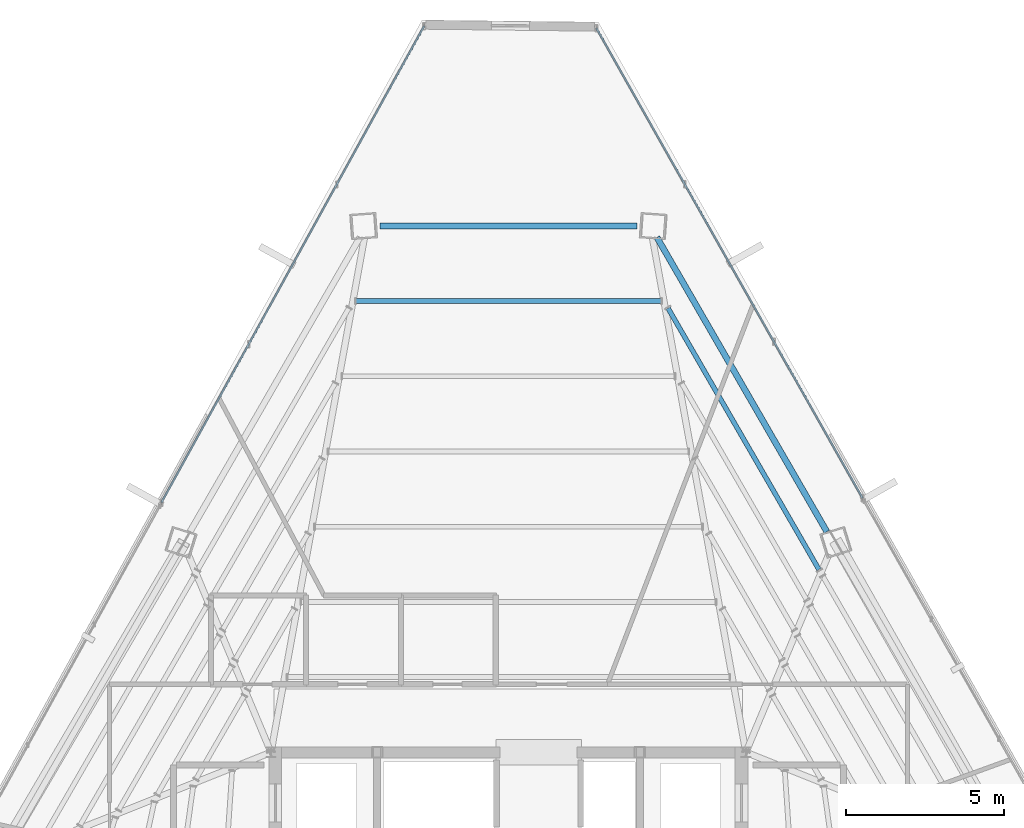
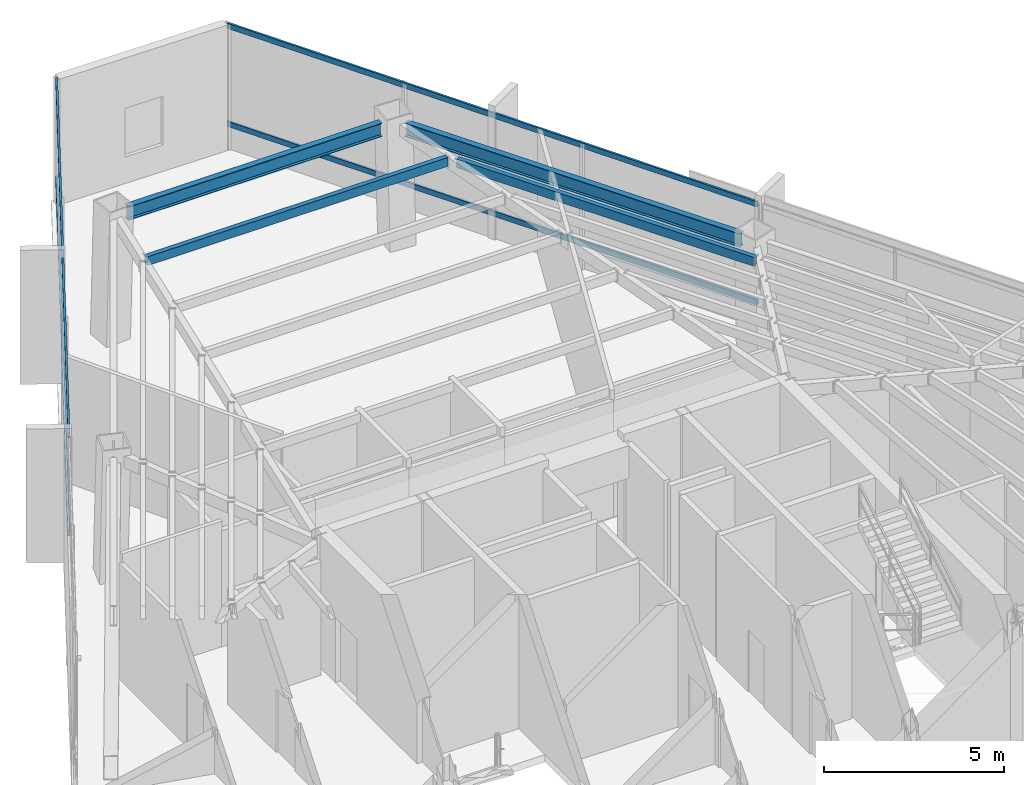
# One storey, part 26 of 37: 4 beams, 4 members, 2 elements without a shape of their own.
"""IFC4 building model written with IfcOpenShell, lengths in metres."""

from ifc_helpers import new_model, si_unit, direction, frame, origin, origin_2d, place, context, subcontext, project, spatial, hollow_rectangle, i_section, extrude, source, transform, mapped, material, material_profile, profile_set, type_object, type_shapes, element, aggregate, save


model = new_model("IFC4")

# Units and contexts
model_context = context("Model", 3, precision=1e-05, world=origin(), true_north=direction((0.0, 1.0)))
body_context = subcontext(model_context, "Body", "Model", "MODEL_VIEW")
ifc_project = project(units=[si_unit("LENGTHUNIT", "METRE"), si_unit("AREAUNIT", "SQUARE_METRE"), si_unit("VOLUMEUNIT", "CUBIC_METRE"), si_unit("PLANEANGLEUNIT", "RADIAN"), si_unit("MASSUNIT", "GRAM", prefix="KILO")], contexts=[model_context])

# Site, building, storey
site_placement = place(None, origin())
site = spatial("IfcSite", under=ifc_project, at=site_placement, CompositionType="ELEMENT")
building_placement = place(site_placement, origin())
building = spatial("IfcBuilding", under=site, at=building_placement, Name="Caelisora Broadcast Tower", CompositionType="ELEMENT")
storey_placement = place(building_placement, frame((0.0, 0.0, 225.35009765625)))
storey = spatial("IfcBuildingStorey", under=building, at=storey_placement, Name="L59", CompositionType="ELEMENT", Elevation=225.35009765625)

# Beams
ifc_material_1 = material(Name="Steel Grade 350 (AS/NZS 3679.1)", Category="steel")
ifc_material_profile_1 = material_profile(ifc_material_1, i_section(OverallWidth=0.19091796875, OverallDepth=0.46044921875, WebThickness=0.010009765625, FlangeThickness=0.01611328125, at=origin_2d()), Name="Steel Grade 350 (AS/NZS 3679.1)")
ifc_profile_set_1 = profile_set([ifc_material_profile_1], Name="Steel Grade 350 (AS/NZS 3679.1)")
beam_type_1 = type_object("IfcBeamType", Name="PG06", PredefinedType="BEAM", material=ifc_profile_set_1)
shared_shape_1 = source(origin(), body_context, "Body", "SweptSolid", [
    extrude(i_section(OverallWidth=0.19091796875, OverallDepth=0.46044921875, WebThickness=0.010009765625, FlangeThickness=0.01611328125, at=origin_2d()), origin(), (0.0, 0.0, 1.0), 8.12841796875),
])
beam_1_placement = place(storey_placement, frame((42.064208984375, 46.6279296875, 4.019775390625), z_axis=(-1.0, 0.0, 0.0), x_axis=(0.0, -1.0, 0.0)))
element("IfcBeam", 1, at=beam_1_placement, inside=storey, type_object=beam_type_1, Name="L59 beam PG06", PredefinedType="BEAM", context=body_context, shape_type="MappedRepresentation", body=[
    mapped(shared_shape_1, transform((0.0, 0.0, 0.0), scale=1.0)),
])
shared_shape_2 = source(origin(), body_context, "Body", "SweptSolid", [
    extrude(i_section(OverallWidth=0.19091796875, OverallDepth=0.46044921875, WebThickness=0.010009765625, FlangeThickness=0.01611328125, at=origin_2d()), origin(), (0.0, 0.0, 1.0), 10.73876953125),
])
type_shapes(beam_type_1, [shared_shape_1, shared_shape_2])
beam_2_placement = place(storey_placement, frame((48.0576171875, 36.967529296875, 4.019775390625), z_axis=(-0.499999935134, 0.866025441235, 0.0), x_axis=(-0.866025441235, -0.499999935134, 0.0)))
element("IfcBeam", 2, at=beam_2_placement, inside=storey, type_object=beam_type_1, Name="L59 beam PG06", PredefinedType="BEAM", context=body_context, shape_type="MappedRepresentation", body=[
    mapped(shared_shape_2, transform((0.0, 0.0, 0.0), scale=1.0)),
])
ifc_material_2 = material(Name="Steel Grade 350 (AS/NZS 1163 C350L0)", Category="steel")
ifc_material_profile_2 = material_profile(ifc_material_2, hollow_rectangle(XDim=0.14990234375, YDim=0.300048828125, WallThickness=0.010009765625, at=origin_2d()), Name="Steel Grade 350 (AS/NZS 1163 C350L0)")
ifc_profile_set_2 = profile_set([ifc_material_profile_2], Name="Steel Grade 350 (AS/NZS 1163 C350L0)")
beam_type_2 = type_object("IfcBeamType", Name="SB05", PredefinedType="JOIST", material=ifc_profile_set_2)
shared_shape_3 = source(origin(), body_context, "Body", "SweptSolid", [
    extrude(hollow_rectangle(XDim=0.14990234375, YDim=0.300048828125, WallThickness=0.010009765625, at=origin_2d()), origin(), (0.0, 0.0, 1.0), 9.6259765625),
])
beam_3_placement = place(storey_placement, frame((42.81298828125, 44.25244140625, 4.099853515625), z_axis=(-1.0, 0.0, 0.0), x_axis=(0.0, -1.0, 0.0)))
element("IfcBeam", 3, at=beam_3_placement, inside=storey, type_object=beam_type_2, Name="L59 beam SB05", PredefinedType="JOIST", context=body_context, shape_type="MappedRepresentation", body=[
    mapped(shared_shape_3, transform((0.0, 0.0, 0.0), scale=1.0)),
])
shared_shape_4 = source(origin(), body_context, "Body", "SweptSolid", [
    extrude(hollow_rectangle(XDim=0.14990234375, YDim=0.300048828125, WallThickness=0.010009765625, at=origin_2d()), origin(), (0.0, 0.0, 1.0), 9.53466796875),
])
type_shapes(beam_type_2, [shared_shape_3, shared_shape_4])
beam_4_placement = place(storey_placement, frame((47.80908203125, 35.769775390625, 4.099853515625), z_axis=(-0.499997295977, 0.866026964947, 0.0), x_axis=(-0.866026964947, -0.499997295977, 0.0)))
element("IfcBeam", 4, at=beam_4_placement, inside=storey, type_object=beam_type_2, Name="L59 beam SB05", PredefinedType="JOIST", context=body_context, shape_type="MappedRepresentation", body=[
    mapped(shared_shape_4, transform((0.0, 0.0, 0.0), scale=1.0)),
])

# Curtain wall, members
ifc_material_3 = material(Name="Unitised Aluminium and Low-E Glass Curtain Wall", Category="glass")
curtain_wall_type = type_object("IfcCurtainWallType", Name="CW-SKY", PredefinedType="NOTDEFINED", material=ifc_material_3)
curtain_wall_1_placement = place(storey_placement, origin())
curtain_wall_1 = element("IfcCurtainWall", 5, at=curtain_wall_1_placement, inside=storey, type_object=curtain_wall_type, Name="L59 curtain wall CW-SKY", PredefinedType="NOTDEFINED")
ifc_material_4 = material(Name="Aluminium 6063-T6 Anodised Terracotta Bronze", Category="aluminium")
ifc_material_profile_3 = material_profile(ifc_material_4, hollow_rectangle(XDim=0.06494140625, YDim=0.179931640625, WallThickness=0.00341796875, at=origin_2d()), Name="Aluminium 6063-T6 Anodised Terracotta Bronze")
ifc_profile_set_3 = profile_set([ifc_material_profile_3], Name="Aluminium 6063-T6 Anodised Terracotta Bronze")
member_type = type_object("IfcMemberType", Name="CWT-01", PredefinedType="USERDEFINED", material=ifc_profile_set_3)
shared_shape_5 = source(origin(), body_context, "Body", "SweptSolid", [
    extrude(hollow_rectangle(XDim=0.06494140625, YDim=0.179931640625, WallThickness=0.00341796875, at=origin_2d()), origin(), (0.0, 0.0, 1.0), 17.058837890625),
])
member_1_placement = place(storey_placement, frame((40.776611328125, 52.87353515625, 0.849853515625), z_axis=(0.492854039101, -0.870112002068, 0.0), x_axis=(0.870112002068, 0.492854039101, 0.0)))
member_1 = element("IfcMember", 6, at=member_1_placement, type_object=member_type, Name="L59-CW-B01 transom #1", ObjectType="TRANSOM", PredefinedType="USERDEFINED", context=body_context, shape_type="MappedRepresentation", body=[
    mapped(shared_shape_5, transform((0.0, 0.0, 0.0), scale=1.0)),
])
member_2_placement = place(storey_placement, frame((40.776611328125, 52.87353515625, 4.169921875), z_axis=(0.492854039101, -0.870112002068, 0.0), x_axis=(0.870112002068, 0.492854039101, 0.0)))
member_2 = element("IfcMember", 7, at=member_2_placement, type_object=member_type, Name="L59-CW-B01 transom #2", ObjectType="TRANSOM", PredefinedType="USERDEFINED", context=body_context, shape_type="MappedRepresentation", body=[
    mapped(shared_shape_5, transform((0.0, 0.0, 0.0), scale=1.0)),
])
aggregate(curtain_wall_1, [member_1, member_2])

curtain_wall_2_placement = place(storey_placement, origin())
curtain_wall_2 = element("IfcCurtainWall", 8, at=curtain_wall_2_placement, inside=storey, type_object=curtain_wall_type, Name="L59 curtain wall CW-SKY", PredefinedType="NOTDEFINED")
shared_shape_6 = source(origin(), body_context, "Body", "SweptSolid", [
    extrude(hollow_rectangle(XDim=0.06494140625, YDim=0.179931640625, WallThickness=0.00341796875, at=origin_2d()), origin(), (0.0, 0.0, 1.0), 17.182373046875),
])
type_shapes(member_type, [shared_shape_5, shared_shape_6])
member_3_placement = place(storey_placement, frame((27.041259765625, 37.8876953125, 0.849853515625), z_axis=(0.482744883724, 0.875761027472, 0.0), x_axis=(-0.875761027472, 0.482744883724, 0.0)))
member_3 = element("IfcMember", 9, at=member_3_placement, type_object=member_type, Name="L59-CW-B11 transom #1", ObjectType="TRANSOM", PredefinedType="USERDEFINED", context=body_context, shape_type="MappedRepresentation", body=[
    mapped(shared_shape_6, transform((0.0, 0.0, 0.0), scale=1.0)),
])
member_4_placement = place(storey_placement, frame((27.041259765625, 37.8876953125, 4.169921875), z_axis=(0.482744883724, 0.875761027472, 0.0), x_axis=(-0.875761027472, 0.482744883724, 0.0)))
member_4 = element("IfcMember", 10, at=member_4_placement, type_object=member_type, Name="L59-CW-B11 transom #2", ObjectType="TRANSOM", PredefinedType="USERDEFINED", context=body_context, shape_type="MappedRepresentation", body=[
    mapped(shared_shape_6, transform((0.0, 0.0, 0.0), scale=1.0)),
])
aggregate(curtain_wall_2, [member_3, member_4])

save(model, "model.ifc")
